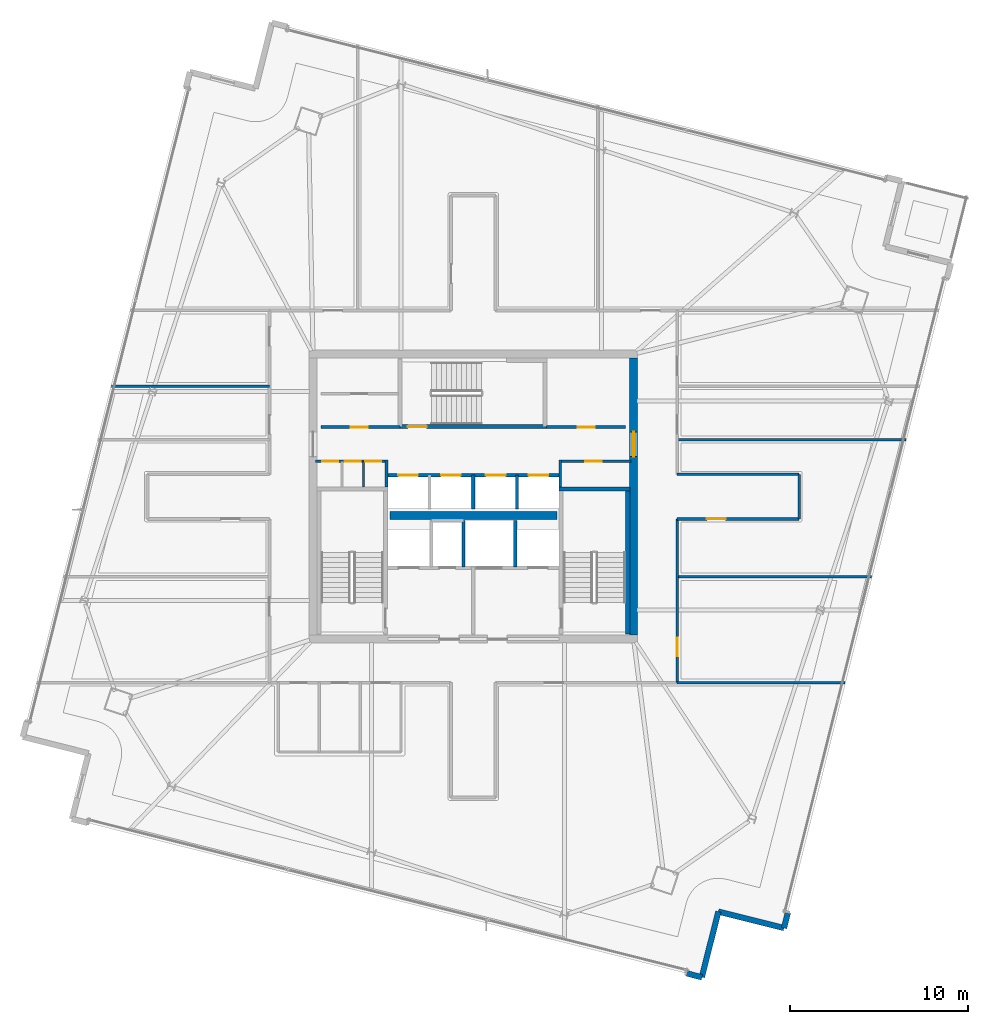
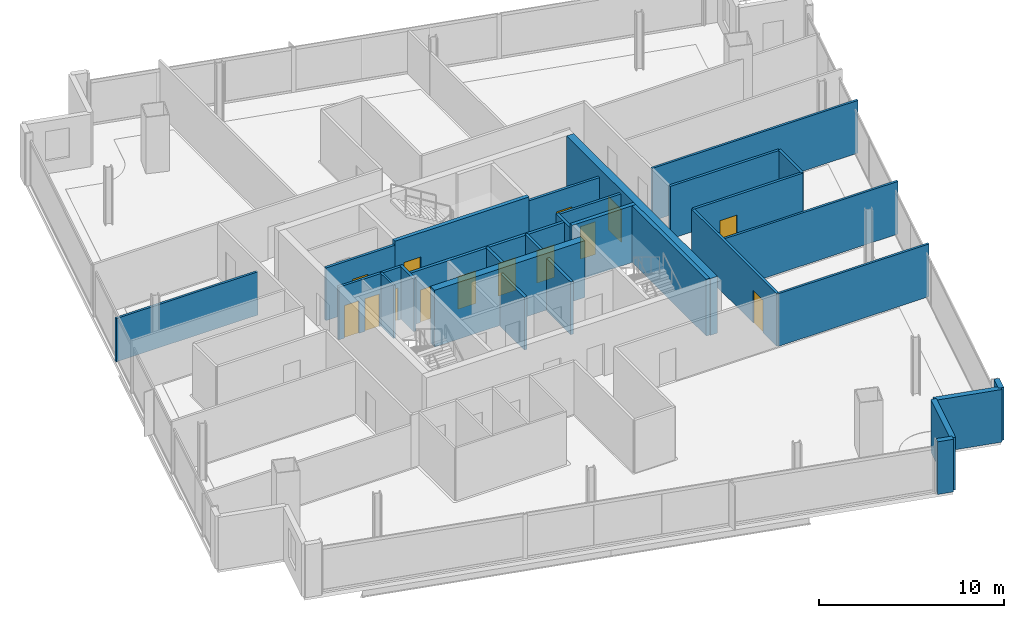
# One storey, part 21 of 28: 29 walls, 14 doors, 14 openings.
"""IFC4 building model written with IfcOpenShell, lengths in metres."""

import ifcopenshell
import ifcopenshell.guid

model = None  # the IFC model being written
_history = None  # IfcOwnerHistory: only IFC2X3 demands one
_inside = {}  # id of a spatial element -> (the spatial element, [elements in it])
_under = {}  # id of a project, library or spatial element -> (it, [spatial elements below it])
_declared = {}  # id of a project -> (the project, [libraries it declares])
_typed = {}  # id of a type object -> (the type object, [elements of that type])
_made_of = {}  # id of a material, layer set ... -> (it, [elements and type objects made of it])


def new_model(schema):
    """Start an empty IFC model of exactly this schema.

    Asked for "IFC4X3", IfcOpenShell would pick the latest addendum, in which some entities
    have other attributes; the version numbers below select the first issue.
    IFC2X3 requires an IfcOwnerHistory on every rooted entity: one is made here for all.
    """
    global model, _history
    if schema == "IFC4X3":
        model = ifcopenshell.file(schema_version=(4, 3, 0, 0))
    else:
        model = ifcopenshell.file(schema=schema)
    _inside.clear()
    _under.clear()
    _declared.clear()
    _typed.clear()
    _made_of.clear()
    _history = None
    if model.schema == "IFC2X3":
        org = make("IfcOrganization", Name="unknown")
        user = make(
            "IfcPersonAndOrganization",
            ThePerson=make("IfcPerson", FamilyName="unknown"),
            TheOrganization=org,
        )
        app = make(
            "IfcApplication",
            ApplicationDeveloper=org,
            Version="unknown",
            ApplicationFullName="unknown",
            ApplicationIdentifier="unknown",
        )
        _history = make(
            "IfcOwnerHistory",
            OwningUser=user,
            OwningApplication=app,
            ChangeAction="ADDED",
            CreationDate=0,
        )
    return model


def make(cls, **values):
    """One entity of the class cls with the attributes given. An attribute that is None is left unset."""
    return model.create_entity(
        cls, **{name: value for name, value in values.items() if value is not None}
    )


def rooted(cls, **values):
    """An entity with a GlobalId (a new one), such as an element, a storey or a relation."""
    return make(cls, GlobalId=ifcopenshell.guid.new(), OwnerHistory=_history, **values)


def si_unit(unit_type, name, prefix=None):
    """IfcSIUnit, for example si_unit("LENGTHUNIT", "METRE", prefix="MILLI")."""
    return make("IfcSIUnit", UnitType=unit_type, Prefix=prefix, Name=name)


def assignment(units):
    """IfcUnitAssignment: the units of a project."""
    return None if units is None else make("IfcUnitAssignment", Units=units)


def point(xyz):
    """IfcCartesianPoint."""
    return None if xyz is None else make("IfcCartesianPoint", Coordinates=xyz)


def direction(xyz):
    """IfcDirection."""
    return None if xyz is None else make("IfcDirection", DirectionRatios=xyz)


def frame(location, z_axis=None, x_axis=None):
    """IfcAxis2Placement3D, a coordinate frame: its origin and axes. An axis left out is left unset."""
    return make(
        "IfcAxis2Placement3D",
        Location=point(location),
        Axis=direction(z_axis),
        RefDirection=direction(x_axis),
    )


def frame_2d(location, x_axis=None):
    """IfcAxis2Placement2D, a coordinate frame in the plane: its origin and x axis."""
    return make(
        "IfcAxis2Placement2D", Location=point(location), RefDirection=direction(x_axis)
    )


def origin():
    """The frame at (0, 0, 0) with its axes left unset."""
    return frame((0.0, 0.0, 0.0))


def place(relative_to, where):
    """IfcLocalPlacement: puts the frame where relative to a parent placement (None: the world)."""
    return make(
        "IfcLocalPlacement", PlacementRelTo=relative_to, RelativePlacement=where
    )


def context(
    kind, dimensions, precision=None, world=None, true_north=None, identifier=None
):
    """IfcGeometricRepresentationContext, for example the 3D "Model" context."""
    return make(
        "IfcGeometricRepresentationContext",
        ContextIdentifier=identifier,
        ContextType=kind,
        CoordinateSpaceDimension=dimensions,
        Precision=precision,
        WorldCoordinateSystem=world,
        TrueNorth=true_north,
    )


def subcontext(parent, identifier, kind, view, scale=None):
    """IfcGeometricRepresentationSubContext, for example "Body" below "Model"."""
    return make(
        "IfcGeometricRepresentationSubContext",
        ContextIdentifier=identifier,
        ContextType=kind,
        ParentContext=parent,
        TargetScale=scale,
        TargetView=view,
    )


def project(units=None, contexts=None):
    """IfcProject with its units and contexts."""
    return rooted(
        "IfcProject",
        Name="project",
        RepresentationContexts=contexts,
        UnitsInContext=assignment(units),
    )


def spatial(cls, under=None, at=None, **own):
    """A site, building, storey or space (cls), placed at a placement, below another one or the project."""
    s = rooted(cls, ObjectPlacement=at, **own)
    if under is not None:
        _under.setdefault(under.id(), (under, []))[1].append(s)
    return s


def profile(cls, at=None, kind="AREA", **sizes):
    """A parametric profile (cls). Its sizes go by their IFC names, for example OverallWidth=200.0."""
    return make(cls, ProfileType=kind, Position=at, **sizes)


def rectangle(**sizes):
    """IfcRectangleProfileDef."""
    return profile("IfcRectangleProfileDef", **sizes)


def extrude(swept, where, along, depth):
    """IfcExtrudedAreaSolid: the profile swept, set in the frame where, extruded along a direction by depth."""
    return make(
        "IfcExtrudedAreaSolid",
        SweptArea=swept,
        Position=where,
        ExtrudedDirection=direction(along),
        Depth=depth,
    )


def shape(context_of_items, identifier, shape_type, items):
    """IfcShapeRepresentation: the items that make up one representation, for example the "Body"."""
    return make(
        "IfcShapeRepresentation",
        ContextOfItems=context_of_items,
        RepresentationIdentifier=identifier,
        RepresentationType=shape_type,
        Items=items,
    )


def material(Name=None, Category=None):
    """IfcMaterial."""
    return make("IfcMaterial", Name=Name, Category=Category)


def layer(
    of_material, thickness, ventilated=None, Name=None, Category=None, Priority=None
):
    """IfcMaterialLayer: one layer of a wall or slab, of a material (None: an air gap)."""
    return make(
        "IfcMaterialLayer",
        Material=of_material,
        LayerThickness=thickness,
        IsVentilated=ventilated,
        Name=Name,
        Category=Category,
        Priority=Priority,
    )


def layer_set(layers, Name=None):
    """IfcMaterialLayerSet."""
    return make("IfcMaterialLayerSet", MaterialLayers=layers, LayerSetName=Name)


def made_of(thing, what):
    """Note that an element or type object is made of a material, layer set ...; save() writes the relation."""
    if what is not None:
        _made_of.setdefault(what.id(), (what, []))[1].append(thing)
    return thing


def type_object(cls, material=None, **own):
    """A type object (cls), such as IfcWallType, which elements share."""
    return made_of(rooted(cls, **own), material)


def element(
    cls,
    number,
    at=None,
    inside=None,
    cuts=None,
    type_object=None,
    material=None,
    context=None,
    identifier="Body",
    shape_type=None,
    held_by="IfcProductDefinitionShape",
    body=None,
    shapes=None,
    **own,
):
    """One element of the class cls, such as IfcWall. Its Tag is "e" and its number.

    at: its placement. inside: the storey or other place that contains it. cuts: it is an
    opening in that element (IfcRelVoidsElement). A single representation is given by context,
    identifier, shape_type and body (its items); several are given by shapes. held_by: the class
    of the entity that holds the representations. save() writes the other relations.
    """
    e = rooted(cls, Tag="e%d" % number, ObjectPlacement=at, **own)
    if body is not None:
        shapes = [shape(context, identifier, shape_type, body)]
    if shapes is not None:
        e.Representation = make(held_by, Representations=shapes)
    if inside is not None:
        _inside.setdefault(inside.id(), (inside, []))[1].append(e)
    if cuts is not None:
        rooted(
            "IfcRelVoidsElement", RelatingBuildingElement=cuts, RelatedOpeningElement=e
        )
    if type_object is not None:
        _typed.setdefault(type_object.id(), (type_object, []))[1].append(e)
    return made_of(e, material)


def fill(opening, filler):
    """IfcRelFillsElement: the door or window that sits in an opening."""
    return rooted(
        "IfcRelFillsElement",
        RelatingOpeningElement=opening,
        RelatedBuildingElement=filler,
    )


def aggregate(whole, parts):
    """IfcRelAggregates: a whole, such as a stair, and the parts it consists of."""
    return rooted("IfcRelAggregates", RelatingObject=whole, RelatedObjects=parts)


def save(model, path):
    """Write the relations noted so far, then the file.

    IfcRelAggregates (storeys below a building ...), IfcRelContainedInSpatialStructure (elements
    in a storey), IfcRelDefinesByType, IfcRelAssociatesMaterial and IfcRelDeclares: one each for
    every whole, place, type object, material and project.
    """
    for whole, parts in _under.values():
        aggregate(whole, parts)
    for where, things in _inside.values():
        rooted(
            "IfcRelContainedInSpatialStructure",
            RelatedElements=things,
            RelatingStructure=where,
        )
    for kind, things in _typed.values():
        rooted("IfcRelDefinesByType", RelatedObjects=things, RelatingType=kind)
    for what, things in _made_of.values():
        rooted("IfcRelAssociatesMaterial", RelatedObjects=things, RelatingMaterial=what)
    for by, libraries in _declared.values():
        rooted("IfcRelDeclares", RelatingContext=by, RelatedDefinitions=libraries)
    model.write(path)


model = new_model("IFC4")

# Units and contexts
model_context = context("Model", 3, precision=1e-05, world=origin(), true_north=direction((0.0, 1.0)))
body_context = subcontext(model_context, "Body", "Model", "MODEL_VIEW")
ifc_project = project(units=[si_unit("LENGTHUNIT", "METRE"), si_unit("AREAUNIT", "SQUARE_METRE"), si_unit("VOLUMEUNIT", "CUBIC_METRE"), si_unit("PLANEANGLEUNIT", "RADIAN"), si_unit("MASSUNIT", "GRAM", prefix="KILO")], contexts=[model_context])

# Site, building, storey
site_placement = place(None, origin())
site = spatial("IfcSite", under=ifc_project, at=site_placement, CompositionType="ELEMENT")
building_placement = place(site_placement, origin())
building = spatial("IfcBuilding", under=site, at=building_placement, Name="Haldenkirk Collegiate Tower", CompositionType="ELEMENT")
storey_placement = place(building_placement, frame((0.0, 0.0, 282.449951171875)))
storey = spatial("IfcBuildingStorey", under=building, at=storey_placement, Name="L71", CompositionType="ELEMENT", Elevation=282.449951171875)

# Wall, opening, door
ifc_material_1 = material(Name="Concrete f'c 55 MPa", Category="concrete")
ifc_layer_1 = layer(ifc_material_1, 0.449951171875)
ifc_layer_set_1 = layer_set([ifc_layer_1], Name="Concrete f'c 55 MPa")
wall_type_1 = type_object("IfcWallType", Name="WL-CORE-450", PredefinedType="SHEAR", material=ifc_layer_set_1)
wall_1_placement = place(storey_placement, frame((45.0, 18.22509765625, 0.0), z_axis=(0.0, 0.0, 1.0), x_axis=(0.0, 1.0, 0.0)))
wall_1 = element("IfcWall", 1, at=wall_1_placement, inside=storey, type_object=wall_type_1, Name="L71 central core shear wall E", PredefinedType="SHEAR", context=body_context, shape_type="SweptSolid", body=[
    extrude(rectangle(XDim=15.5498046875, YDim=0.449951171875, at=frame_2d((7.77490234375, 0.0))), origin(), (0.0, 0.0, 1.0), 3.75),
])
opening_1_placement = place(wall_1_placement, frame((10.014892578125, 0.0, 0.0)))
opening_1 = element("IfcOpeningElement", 2, at=opening_1_placement, cuts=wall_1, Name="Opening D-03", PredefinedType="OPENING", context=body_context, shape_type="SweptSolid", body=[
    extrude(rectangle(XDim=1.39990234375, YDim=2.199951171875, at=frame_2d((0.699951171875, 1.10009765625))), frame((0.0, 0.23486328125, 0.0), z_axis=(0.0, -1.0, 0.0), x_axis=(1.0, 0.0, 0.0)), (0.0, 0.0, 1.0), 0.469970703125),
])
ifc_material_2 = material(Name="Galvanized fire-rated hollow steel door", Category="steel")
ifc_layer_2 = layer(ifc_material_2, 0.06005859375)
ifc_layer_set_2 = layer_set([ifc_layer_2], Name="Galvanized fire-rated hollow steel door")
door_type_1 = type_object("IfcDoorType", Name="DR-LOBBY-FD90-1400", OperationType="NOTDEFINED", PredefinedType="DOOR", material=ifc_layer_set_2)
door_1_placement = place(opening_1_placement, origin())
door_1 = element("IfcDoor", 3, at=door_1_placement, inside=storey, type_object=door_type_1, Name="L71 east lift lobby portal", OperationType="DOUBLE_DOOR_SINGLE_SWING", OverallHeight=2.199951171875, OverallWidth=1.39990234375, PredefinedType="DOOR", context=body_context, shape_type="SweptSolid", body=[
    extrude(rectangle(XDim=1.39990234375, YDim=2.199951171875, at=frame_2d((0.699951171875, 1.10009765625))), frame((0.0, 0.02490234375, 0.0), z_axis=(0.0, -1.0, 0.0), x_axis=(1.0, 0.0, 0.0)), (0.0, 0.0, 1.0), 0.050048828125),
])
fill(opening_1, door_1)

# Walls
wall_2_placement = place(storey_placement, frame((31.31005859375, 24.949951171875, 0.0), z_axis=(0.0, 0.0, 1.0), x_axis=(1.0, 0.0, 0.0)))
element("IfcWall", 4, at=wall_2_placement, inside=storey, type_object=wall_type_1, Name="L71 central core spine shear wall", PredefinedType="SHEAR", context=body_context, shape_type="SweptSolid", body=[
    extrude(rectangle(XDim=9.3798828125, YDim=0.449951171875, at=frame_2d((4.68994140625, 0.0))), origin(), (0.0, 0.0, 1.0), 3.75),
])
ifc_material_3 = material(Name="Precast concrete f'c 40 MPa", Category="concrete")
ifc_layer_3 = layer(ifc_material_3, 0.320068359375)
ifc_layer_set_3 = layer_set([ifc_layer_3], Name="Precast concrete f'c 40 MPa")
wall_type_2 = type_object("IfcWallType", Name="WL-EXT-TWR-320", PredefinedType="STANDARD", material=ifc_layer_set_3)
for number, where, z_axis, x_axis, name in (
    (5, (53.6669921875, 2.642333984375, 0.0), (0.0, 0.0, 1.0), (-0.24362064321, -0.969870600751, 0.0), "L71 precast corner pier SR"),
    (6, (48.83642578125, -0.990234375, 0.0), (0.0, 0.0, 1.0), (-0.969870600751, 0.24362064321, 0.0), "L71 precast corner pier WL"),
):
    element("IfcWall", number, at=place(storey_placement, frame(where, z_axis=z_axis, x_axis=x_axis)), inside=storey, type_object=wall_type_2, Name=name, PredefinedType="STANDARD", context=body_context, shape_type="SweptSolid", body=[
        extrude(rectangle(XDim=0.89990234375, YDim=0.320068359375, at=frame_2d((0.449951171875, 0.0))), origin(), (0.0, 0.0, 1.0), 3.47998046875),
    ])
for number, where, z_axis, x_axis, name in (
    (7, (49.76220703125, 2.6953125, 0.0), (0.0, 0.0, 1.0), (-0.243623888878, -0.96986978547, 0.0), "L71 bronze precast notch wall 11"),
    (8, (53.44775390625, 1.76953125, 0.0), (0.0, 0.0, 1.0), (-0.96986978547, 0.243623888878, 0.0), "L71 bronze precast notch wall 12"),
):
    element("IfcWall", number, at=place(storey_placement, frame(where, z_axis=z_axis, x_axis=x_axis)), inside=storey, type_object=wall_type_2, Name=name, PredefinedType="STANDARD", context=body_context, shape_type="SweptSolid", body=[
        extrude(rectangle(XDim=3.800048828125, YDim=0.320068359375, at=frame_2d((1.89990234375, 0.0))), origin(), (0.0, 0.0, 1.0), 3.47998046875),
    ])

# Wall, openings, doors
ifc_material_4 = material(Name="Acoustic fire-rated gypsum partition", Category="concrete")
ifc_layer_4 = layer(ifc_material_4, 0.159912109375)
ifc_layer_set_4 = layer_set([ifc_layer_4], Name="Acoustic fire-rated gypsum partition")
wall_type_3 = type_object("IfcWallType", Name="WL-INT-CORR-160", PredefinedType="PARTITIONING", material=ifc_layer_set_4)
wall_3_placement = place(storey_placement, frame((27.14990234375, 27.97998046875, 0.0), z_axis=(0.0, 0.0, 1.0), x_axis=(1.0, 0.0, 0.0)))
wall_3 = element("IfcWall", 9, at=wall_3_placement, inside=storey, type_object=wall_type_3, Name="L71 interior partition IW-L71-VCSW-N", PredefinedType="PARTITIONING", context=body_context, shape_type="SweptSolid", body=[
    extrude(rectangle(XDim=4.050048828125, YDim=0.159912109375, at=frame_2d((2.02490234375, 0.0))), origin(), (0.0, 0.0, 1.0), 3.47998046875),
])
opening_2_placement = place(wall_3_placement, frame((0.360107421875, 0.0, 0.0)))
opening_2 = element("IfcOpeningElement", 10, at=opening_2_placement, cuts=wall_3, Name="Opening D-11", PredefinedType="OPENING", context=body_context, shape_type="SweptSolid", body=[
    extrude(rectangle(XDim=0.89990234375, YDim=2.14990234375, at=frame_2d((0.449951171875, 1.074951171875))), frame((0.0, 0.08984375, 0.0), z_axis=(0.0, -1.0, 0.0), x_axis=(1.0, 0.0, 0.0)), (0.0, 0.0, 1.0), 0.179931640625),
])
opening_3_placement = place(wall_3_placement, frame((1.6298828125, 0.0, 0.0)))
opening_3 = element("IfcOpeningElement", 11, at=opening_3_placement, cuts=wall_3, Name="Opening D-11", PredefinedType="OPENING", context=body_context, shape_type="SweptSolid", body=[
    extrude(rectangle(XDim=0.89990234375, YDim=2.14990234375, at=frame_2d((0.449951171875, 1.074951171875))), frame((0.0, 0.08984375, 0.0), z_axis=(0.0, -1.0, 0.0), x_axis=(1.0, 0.0, 0.0)), (0.0, 0.0, 1.0), 0.179931640625),
])
opening_4_placement = place(wall_3_placement, frame((2.78759765625, 0.0, 0.0)))
opening_4 = element("IfcOpeningElement", 12, at=opening_4_placement, cuts=wall_3, Name="Opening D-11", PredefinedType="OPENING", context=body_context, shape_type="SweptSolid", body=[
    extrude(rectangle(XDim=0.89990234375, YDim=2.14990234375, at=frame_2d((0.449951171875, 1.074951171875))), frame((0.0, 0.08984375, 0.0), z_axis=(0.0, -1.0, 0.0), x_axis=(1.0, 0.0, 0.0)), (0.0, 0.0, 1.0), 0.179931640625),
])
ifc_material_5 = material(Name="Solid-core architectural oak fire door", Category="wood")
ifc_layer_5 = layer(ifc_material_5, 0.06005859375)
ifc_layer_set_5 = layer_set([ifc_layer_5], Name="Solid-core architectural oak fire door")
door_type_2 = type_object("IfcDoorType", Name="DR-INT-FD60-900", OperationType="NOTDEFINED", PredefinedType="DOOR", material=ifc_layer_set_5)
door_2_placement = place(opening_2_placement, origin())
door_2 = element("IfcDoor", 13, at=door_2_placement, inside=storey, type_object=door_type_2, Name="L71 core study booth door", OperationType="SINGLE_SWING_LEFT", OverallHeight=2.14990234375, OverallWidth=0.89990234375, PredefinedType="DOOR", context=body_context, shape_type="SweptSolid", body=[
    extrude(rectangle(XDim=0.89990234375, YDim=2.14990234375, at=frame_2d((0.449951171875, 1.074951171875))), frame((0.0, 0.02490234375, 0.0), z_axis=(0.0, -1.0, 0.0), x_axis=(1.0, 0.0, 0.0)), (0.0, 0.0, 1.0), 0.050048828125),
])
fill(opening_2, door_2)
door_3_placement = place(opening_3_placement, origin())
door_3 = element("IfcDoor", 14, at=door_3_placement, inside=storey, type_object=door_type_2, Name="L71 core cleaners door", OperationType="SINGLE_SWING_RIGHT", OverallHeight=2.14990234375, OverallWidth=0.89990234375, PredefinedType="DOOR", context=body_context, shape_type="SweptSolid", body=[
    extrude(rectangle(XDim=0.89990234375, YDim=2.14990234375, at=frame_2d((0.449951171875, 1.074951171875))), frame((0.0, 0.02490234375, 0.0), z_axis=(0.0, -1.0, 0.0), x_axis=(1.0, 0.0, 0.0)), (0.0, 0.0, 1.0), 0.050048828125),
])
fill(opening_3, door_3)
door_4_placement = place(opening_4_placement, origin())
door_4 = element("IfcDoor", 15, at=door_4_placement, inside=storey, type_object=door_type_2, Name="L71 core stationery door", OperationType="SINGLE_SWING_LEFT", OverallHeight=2.14990234375, OverallWidth=0.89990234375, PredefinedType="DOOR", context=body_context, shape_type="SweptSolid", body=[
    extrude(rectangle(XDim=0.89990234375, YDim=2.14990234375, at=frame_2d((0.449951171875, 1.074951171875))), frame((0.0, 0.02490234375, 0.0), z_axis=(0.0, -1.0, 0.0), x_axis=(1.0, 0.0, 0.0)), (0.0, 0.0, 1.0), 0.050048828125),
])
fill(opening_4, door_4)

# Wall
wall_4_placement = place(storey_placement, frame((31.1201171875, 26.5400390625, 0.0), z_axis=(0.0, 0.0, 1.0), x_axis=(0.0, 1.0, 0.0)))
element("IfcWall", 16, at=wall_4_placement, inside=storey, type_object=wall_type_3, Name="L71 interior partition IW-L71-VCSW-E", PredefinedType="PARTITIONING", context=body_context, shape_type="SweptSolid", body=[
    extrude(rectangle(XDim=1.510009765625, YDim=0.159912109375, at=frame_2d((0.7548828125, 0.0))), origin(), (0.0, 0.0, 1.0), 3.47998046875),
])

# Wall, opening, door
wall_5_placement = place(storey_placement, frame((40.800048828125, 27.97998046875, 0.0), z_axis=(0.0, 0.0, 1.0), x_axis=(1.0, 0.0, 0.0)))
wall_5 = element("IfcWall", 17, at=wall_5_placement, inside=storey, type_object=wall_type_3, Name="L71 interior partition IW-L71-VCSE-N", PredefinedType="PARTITIONING", context=body_context, shape_type="SweptSolid", body=[
    extrude(rectangle(XDim=4.050048828125, YDim=0.159912109375, at=frame_2d((2.02490234375, 0.0))), origin(), (0.0, 0.0, 1.0), 3.47998046875),
])
opening_5_placement = place(wall_5_placement, frame((1.47509765625, 0.0, 0.0)))
opening_5 = element("IfcOpeningElement", 18, at=opening_5_placement, cuts=wall_5, Name="Opening D-10", PredefinedType="OPENING", context=body_context, shape_type="SweptSolid", body=[
    extrude(rectangle(XDim=0.949951171875, YDim=2.14990234375, at=frame_2d((0.47509765625, 1.074951171875))), frame((0.0, 0.08984375, 0.0), z_axis=(0.0, -1.0, 0.0), x_axis=(1.0, 0.0, 0.0)), (0.0, 0.0, 1.0), 0.179931640625),
])
ifc_layer_6 = layer(ifc_material_5, 0.06005859375)
ifc_layer_set_6 = layer_set([ifc_layer_6], Name="Solid-core architectural oak fire door")
door_type_3 = type_object("IfcDoorType", Name="DR-INT-FD60-950", OperationType="NOTDEFINED", PredefinedType="DOOR", material=ifc_layer_set_6)
door_5_placement = place(opening_5_placement, origin())
door_5 = element("IfcDoor", 19, at=door_5_placement, inside=storey, type_object=door_type_3, Name="L71 core archive vault door", OperationType="SINGLE_SWING_RIGHT", OverallHeight=2.14990234375, OverallWidth=0.949951171875, PredefinedType="DOOR", context=body_context, shape_type="SweptSolid", body=[
    extrude(rectangle(XDim=0.949951171875, YDim=2.14990234375, at=frame_2d((0.47509765625, 1.074951171875))), frame((0.0, 0.02490234375, 0.0), z_axis=(0.0, -1.0, 0.0), x_axis=(1.0, 0.0, 0.0)), (0.0, 0.0, 1.0), 0.050048828125),
])
fill(opening_5, door_5)

# Wall
wall_6_placement = place(storey_placement, frame((40.8798828125, 26.5400390625, 0.0), z_axis=(0.0, 0.0, 1.0), x_axis=(0.0, 1.0, 0.0)))
element("IfcWall", 20, at=wall_6_placement, inside=storey, type_object=wall_type_3, Name="L71 interior partition IW-L71-VCSE-W", PredefinedType="PARTITIONING", context=body_context, shape_type="SweptSolid", body=[
    extrude(rectangle(XDim=1.510009765625, YDim=0.159912109375, at=frame_2d((0.7548828125, 0.0))), origin(), (0.0, 0.0, 1.0), 3.47998046875),
])

# Wall, opening, door
wall_7_placement = place(storey_placement, frame((27.449951171875, 29.89990234375, 0.0), z_axis=(0.0, 0.0, 1.0), x_axis=(1.0, 0.0, 0.0)))
wall_7 = element("IfcWall", 21, at=wall_7_placement, inside=storey, type_object=wall_type_3, Name="L71 interior partition IW-L71-PLS", PredefinedType="PARTITIONING", context=body_context, shape_type="SweptSolid", body=[
    extrude(rectangle(XDim=4.429931640625, YDim=0.159912109375, at=frame_2d((2.21484375, 0.0))), origin(), (0.0, 0.0, 1.0), 3.47998046875),
])
opening_6_placement = place(wall_7_placement, frame((1.675048828125, 0.0, 0.0)))
opening_6 = element("IfcOpeningElement", 22, at=opening_6_placement, cuts=wall_7, Name="Opening D-10", PredefinedType="OPENING", context=body_context, shape_type="SweptSolid", body=[
    extrude(rectangle(XDim=0.949951171875, YDim=2.14990234375, at=frame_2d((0.47509765625, 1.074951171875))), frame((0.0, 0.08984375, 0.0), z_axis=(0.0, -1.0, 0.0), x_axis=(1.0, 0.0, 0.0)), (0.0, 0.0, 1.0), 0.179931640625),
])
door_6_placement = place(opening_6_placement, origin())
door_6 = element("IfcDoor", 23, at=door_6_placement, inside=storey, type_object=door_type_3, Name="L71 consultation door", OperationType="SINGLE_SWING_LEFT", OverallHeight=2.14990234375, OverallWidth=0.949951171875, PredefinedType="DOOR", context=body_context, shape_type="SweptSolid", body=[
    extrude(rectangle(XDim=0.949951171875, YDim=2.14990234375, at=frame_2d((0.47509765625, 1.074951171875))), frame((0.0, 0.02490234375, 0.0), z_axis=(0.0, -1.0, 0.0), x_axis=(1.0, 0.0, 0.0)), (0.0, 0.0, 1.0), 0.050048828125),
])
fill(opening_6, door_6)

wall_8_placement = place(storey_placement, frame((40.1201171875, 29.89990234375, 0.0), z_axis=(0.0, 0.0, 1.0), x_axis=(1.0, 0.0, 0.0)))
wall_8 = element("IfcWall", 24, at=wall_8_placement, inside=storey, type_object=wall_type_3, Name="L71 interior partition IW-L71-PMS", PredefinedType="PARTITIONING", context=body_context, shape_type="SweptSolid", body=[
    extrude(rectangle(XDim=4.429931640625, YDim=0.159912109375, at=frame_2d((2.21484375, 0.0))), origin(), (0.0, 0.0, 1.0), 3.47998046875),
])
opening_7_placement = place(wall_8_placement, frame((1.7548828125, 0.0, 0.0)))
opening_7 = element("IfcOpeningElement", 25, at=opening_7_placement, cuts=wall_8, Name="Opening D-10", PredefinedType="OPENING", context=body_context, shape_type="SweptSolid", body=[
    extrude(rectangle(XDim=0.949951171875, YDim=2.14990234375, at=frame_2d((0.47509765625, 1.074951171875))), frame((0.0, 0.08984375, 0.0), z_axis=(0.0, -1.0, 0.0), x_axis=(1.0, 0.0, 0.0)), (0.0, 0.0, 1.0), 0.179931640625),
])
door_7_placement = place(opening_7_placement, origin())
door_7 = element("IfcDoor", 26, at=door_7_placement, inside=storey, type_object=door_type_3, Name="L71 reference archive door", OperationType="SINGLE_SWING_LEFT", OverallHeight=2.14990234375, OverallWidth=0.949951171875, PredefinedType="DOOR", context=body_context, shape_type="SweptSolid", body=[
    extrude(rectangle(XDim=0.949951171875, YDim=2.14990234375, at=frame_2d((0.47509765625, 1.074951171875))), frame((0.0, 0.02490234375, 0.0), z_axis=(0.0, -1.0, 0.0), x_axis=(1.0, 0.0, 0.0)), (0.0, 0.0, 1.0), 0.050048828125),
])
fill(opening_7, door_7)

wall_9_placement = place(storey_placement, frame((47.449951171875, 15.550048828125, 0.0), z_axis=(0.0, 0.0, 1.0), x_axis=(0.0, 1.0, 0.0)))
wall_9 = element("IfcWall", 27, at=wall_9_placement, inside=storey, type_object=wall_type_3, Name="L71 interior partition IW-L71-CE1", PredefinedType="PARTITIONING", context=body_context, shape_type="SweptSolid", body=[
    extrude(rectangle(XDim=9.199951171875, YDim=0.159912109375, at=frame_2d((4.60009765625, 0.0))), origin(), (0.0, 0.0, 1.0), 3.47998046875),
])
opening_8_placement = place(wall_9_placement, frame((1.485107421875, 0.0, 0.0)))
opening_8 = element("IfcOpeningElement", 28, at=opening_8_placement, cuts=wall_9, Name="Opening D-09", PredefinedType="OPENING", context=body_context, shape_type="SweptSolid", body=[
    extrude(rectangle(XDim=1.050048828125, YDim=2.14990234375, at=frame_2d((0.52490234375, 1.074951171875))), frame((0.0, 0.08984375, 0.0), z_axis=(0.0, -1.0, 0.0), x_axis=(1.0, 0.0, 0.0)), (0.0, 0.0, 1.0), 0.179931640625),
])
ifc_layer_7 = layer(ifc_material_5, 0.06005859375)
ifc_layer_set_7 = layer_set([ifc_layer_7], Name="Solid-core architectural oak fire door")
door_type_4 = type_object("IfcDoorType", Name="DR-INT-FD60-1050", OperationType="NOTDEFINED", PredefinedType="DOOR", material=ifc_layer_set_7)
door_8_placement = place(opening_8_placement, origin())
door_8 = element("IfcDoor", 29, at=door_8_placement, inside=storey, type_object=door_type_4, Name="L71 Faculty Tea Kitchen 9 door", OperationType="SINGLE_SWING_LEFT", OverallHeight=2.14990234375, OverallWidth=1.050048828125, PredefinedType="DOOR", context=body_context, shape_type="SweptSolid", body=[
    extrude(rectangle(XDim=1.050048828125, YDim=2.14990234375, at=frame_2d((0.52490234375, 1.074951171875))), frame((0.0, 0.02490234375, 0.0), z_axis=(0.0, -1.0, 0.0), x_axis=(1.0, 0.0, 0.0)), (0.0, 0.0, 1.0), 0.050048828125),
])
fill(opening_8, door_8)

wall_10_placement = place(storey_placement, frame((47.449951171875, 24.75, 0.0), z_axis=(0.0, 0.0, 1.0), x_axis=(1.0, 0.0, 0.0)))
wall_10 = element("IfcWall", 30, at=wall_10_placement, inside=storey, type_object=wall_type_3, Name="L71 interior partition IW-L71-EPS", PredefinedType="PARTITIONING", context=body_context, shape_type="SweptSolid", body=[
    extrude(rectangle(XDim=6.85009765625, YDim=0.159912109375, at=frame_2d((3.425048828125, 0.0))), origin(), (0.0, 0.0, 1.0), 3.47998046875),
])
opening_9_placement = place(wall_10_placement, frame((1.6669921875, 0.0, 0.0)))
opening_9 = element("IfcOpeningElement", 31, at=opening_9_placement, cuts=wall_10, Name="Opening D-09", PredefinedType="OPENING", context=body_context, shape_type="SweptSolid", body=[
    extrude(rectangle(XDim=1.050048828125, YDim=2.14990234375, at=frame_2d((0.52490234375, 1.074951171875))), frame((0.0, 0.08984375, 0.0), z_axis=(0.0, -1.0, 0.0), x_axis=(1.0, 0.0, 0.0)), (0.0, 0.0, 1.0), 0.179931640625),
])
door_9_placement = place(opening_9_placement, origin())
door_9 = element("IfcDoor", 32, at=door_9_placement, inside=storey, type_object=door_type_4, Name="L71 Academic Tea Kitchen 10 door", OperationType="SINGLE_SWING_RIGHT", OverallHeight=2.14990234375, OverallWidth=1.050048828125, PredefinedType="DOOR", context=body_context, shape_type="SweptSolid", body=[
    extrude(rectangle(XDim=1.050048828125, YDim=2.14990234375, at=frame_2d((0.52490234375, 1.074951171875))), frame((0.0, 0.02490234375, 0.0), z_axis=(0.0, -1.0, 0.0), x_axis=(1.0, 0.0, 0.0)), (0.0, 0.0, 1.0), 0.050048828125),
])
fill(opening_9, door_9)

# Walls
wall_11_placement = place(storey_placement, frame((47.449951171875, 27.25, 0.0), z_axis=(0.0, 0.0, 1.0), x_axis=(1.0, 0.0, 0.0)))
element("IfcWall", 33, at=wall_11_placement, inside=storey, type_object=wall_type_3, Name="L71 interior partition IW-L71-EPN", PredefinedType="PARTITIONING", context=body_context, shape_type="SweptSolid", body=[
    extrude(rectangle(XDim=6.85009765625, YDim=0.159912109375, at=frame_2d((3.425048828125, 0.0))), origin(), (0.0, 0.0, 1.0), 3.47998046875),
])
wall_12_placement = place(storey_placement, frame((54.300048828125, 24.75, 0.0), z_axis=(0.0, 0.0, 1.0), x_axis=(0.0, 1.0, 0.0)))
element("IfcWall", 34, at=wall_12_placement, inside=storey, type_object=wall_type_3, Name="L71 interior partition IW-L71-EPE", PredefinedType="PARTITIONING", context=body_context, shape_type="SweptSolid", body=[
    extrude(rectangle(XDim=2.5, YDim=0.159912109375, at=frame_2d((1.25, 0.0))), origin(), (0.0, 0.0, 1.0), 3.47998046875),
])
ifc_layer_8 = layer(ifc_material_4, 0.139892578125)
ifc_layer_set_8 = layer_set([ifc_layer_8], Name="Acoustic fire-rated gypsum partition")
wall_type_4 = type_object("IfcWallType", Name="WL-INT-DIV-140", PredefinedType="PARTITIONING", material=ifc_layer_set_8)
wall_13_placement = place(storey_placement, frame((47.449951171875, 15.550048828125, 0.0), z_axis=(0.0, 0.0, 1.0), x_axis=(1.0, 0.0, 0.0)))
element("IfcWall", 35, at=wall_13_placement, inside=storey, type_object=wall_type_4, Name="L71 interior partition IW-L71-BES", PredefinedType="PARTITIONING", context=body_context, shape_type="SweptSolid", body=[
    extrude(rectangle(XDim=9.41796875, YDim=0.139892578125, at=frame_2d((4.708984375, 0.0))), origin(), (0.0, 0.0, 1.0), 3.47998046875),
])
wall_14_placement = place(storey_placement, frame((15.6884765625, 32.199951171875, 0.0), z_axis=(0.0, 0.0, 1.0), x_axis=(1.0, 0.0, 0.0)))
element("IfcWall", 36, at=wall_14_placement, inside=storey, type_object=wall_type_4, Name="L71 interior partition IW-L71-RW3", PredefinedType="PARTITIONING", context=body_context, shape_type="SweptSolid", body=[
    extrude(rectangle(XDim=8.861572265625, YDim=0.139892578125, at=frame_2d((4.4306640625, 0.0))), origin(), (0.0, 0.0, 1.0), 2.858154296875),
])
wall_15_placement = place(storey_placement, frame((47.449951171875, 21.5, 0.0), z_axis=(0.0, 0.0, 1.0), x_axis=(1.0, 0.0, 0.0)))
element("IfcWall", 37, at=wall_15_placement, inside=storey, type_object=wall_type_4, Name="L71 interior partition IW-L71-RE1", PredefinedType="PARTITIONING", context=body_context, shape_type="SweptSolid", body=[
    extrude(rectangle(XDim=10.912353515625, YDim=0.139892578125, at=frame_2d((5.4560546875, 0.0))), origin(), (0.0, 0.0, 1.0), 3.47998046875),
])
wall_16_placement = place(storey_placement, frame((47.449951171875, 29.199951171875, 0.0), z_axis=(0.0, 0.0, 1.0), x_axis=(1.0, 0.0, 0.0)))
element("IfcWall", 38, at=wall_16_placement, inside=storey, type_object=wall_type_4, Name="L71 interior partition IW-L71-RE2", PredefinedType="PARTITIONING", context=body_context, shape_type="SweptSolid", body=[
    extrude(rectangle(XDim=12.8466796875, YDim=0.139892578125, at=frame_2d((6.42333984375, 0.0))), origin(), (0.0, 0.0, 1.0), 3.47998046875),
])
ifc_material_6 = material(Name="Fire-rated gypsum shaftboard assembly", Category="concrete")
ifc_layer_9 = layer(ifc_material_6, 0.179931640625)
ifc_layer_set_9 = layer_set([ifc_layer_9], Name="Fire-rated gypsum shaftboard assembly")
wall_type_5 = type_object("IfcWallType", Name="WL-INT-SHAFT-180", PredefinedType="PARTITIONING", material=ifc_layer_set_9)
for number, where, z_axis, x_axis, name in (
    (39, (35.449951171875, 22.050048828125, 0.0), (0.0, 0.0, 1.0), (0.0, 1.0, 0.0), "L71 interior partition IW-L71-GL1W"),
    (40, (38.35009765625, 22.050048828125, 0.0), (0.0, 0.0, 1.0), (0.0, 1.0, 0.0), "L71 interior partition IW-L71-GL1E"),
):
    element("IfcWall", number, at=place(storey_placement, frame(where, z_axis=z_axis, x_axis=x_axis)), inside=storey, type_object=wall_type_5, Name=name, PredefinedType="PARTITIONING", context=body_context, shape_type="SweptSolid", body=[
        extrude(rectangle(XDim=2.599853515625, YDim=0.179931640625, at=frame_2d((1.2998046875, 0.0))), origin(), (0.0, 0.0, 1.0), 3.47998046875),
    ])

# Wall, openings, doors
wall_17_placement = place(storey_placement, frame((31.199951171875, 27.199951171875, 0.0), z_axis=(0.0, 0.0, 1.0), x_axis=(1.0, 0.0, 0.0)))
wall_17 = element("IfcWall", 41, at=wall_17_placement, inside=storey, type_object=wall_type_5, Name="L71 interior partition IW-L71-PHN", PredefinedType="PARTITIONING", context=body_context, shape_type="SweptSolid", body=[
    extrude(rectangle(XDim=9.60009765625, YDim=0.179931640625, at=frame_2d((4.800048828125, 0.0))), origin(), (0.0, 0.0, 1.0), 3.47998046875),
])
opening_10_placement = place(wall_17_placement, frame((0.590087890625, 0.0, 0.0)))
opening_10 = element("IfcOpeningElement", 42, at=opening_10_placement, cuts=wall_17, Name="Opening LD-11", PredefinedType="OPENING", context=body_context, shape_type="SweptSolid", body=[
    extrude(rectangle(XDim=1.10009765625, YDim=2.14990234375, at=frame_2d((0.550048828125, 1.074951171875))), frame((0.0, 0.099853515625, 0.0), z_axis=(0.0, -1.0, 0.0), x_axis=(1.0, 0.0, 0.0)), (0.0, 0.0, 1.0), 0.199951171875),
])
opening_11_placement = place(wall_17_placement, frame((2.989990234375, 0.0, 0.0)))
opening_11 = element("IfcOpeningElement", 43, at=opening_11_placement, cuts=wall_17, Name="Opening LD-11", PredefinedType="OPENING", context=body_context, shape_type="SweptSolid", body=[
    extrude(rectangle(XDim=1.10009765625, YDim=2.14990234375, at=frame_2d((0.550048828125, 1.074951171875))), frame((0.0, 0.099853515625, 0.0), z_axis=(0.0, -1.0, 0.0), x_axis=(1.0, 0.0, 0.0)), (0.0, 0.0, 1.0), 0.199951171875),
])
opening_12_placement = place(wall_17_placement, frame((5.510009765625, 0.0, 0.0)))
opening_12 = element("IfcOpeningElement", 44, at=opening_12_placement, cuts=wall_17, Name="Opening LD-11", PredefinedType="OPENING", context=body_context, shape_type="SweptSolid", body=[
    extrude(rectangle(XDim=1.10009765625, YDim=2.14990234375, at=frame_2d((0.550048828125, 1.074951171875))), frame((0.0, 0.099853515625, 0.0), z_axis=(0.0, -1.0, 0.0), x_axis=(1.0, 0.0, 0.0)), (0.0, 0.0, 1.0), 0.199951171875),
])
opening_13_placement = place(wall_17_placement, frame((7.909912109375, 0.0, 0.0)))
opening_13 = element("IfcOpeningElement", 45, at=opening_13_placement, cuts=wall_17, Name="Opening LD-11", PredefinedType="OPENING", context=body_context, shape_type="SweptSolid", body=[
    extrude(rectangle(XDim=1.10009765625, YDim=2.14990234375, at=frame_2d((0.550048828125, 1.074951171875))), frame((0.0, 0.099853515625, 0.0), z_axis=(0.0, -1.0, 0.0), x_axis=(1.0, 0.0, 0.0)), (0.0, 0.0, 1.0), 0.199951171875),
])
ifc_material_7 = material(Name="Brushed architectural stainless steel", Category="steel")
ifc_layer_10 = layer(ifc_material_7, 0.06005859375)
ifc_layer_set_10 = layer_set([ifc_layer_10], Name="Brushed architectural stainless steel")
door_type_5 = type_object("IfcDoorType", Name="LD-PASS-1100", OperationType="NOTDEFINED", PredefinedType="DOOR", material=ifc_layer_set_10)
door_10_placement = place(opening_10_placement, origin())
door_10 = element("IfcDoor", 46, at=door_10_placement, inside=storey, type_object=door_type_5, Name="L71 Elevator PH1 sliding landing door", OperationType="SLIDING_TO_LEFT", OverallHeight=2.14990234375, OverallWidth=1.10009765625, PredefinedType="DOOR", context=body_context, shape_type="SweptSolid", body=[
    extrude(rectangle(XDim=1.10009765625, YDim=2.14990234375, at=frame_2d((0.550048828125, 1.074951171875))), frame((0.0, 0.02490234375, 0.0), z_axis=(0.0, -1.0, 0.0), x_axis=(1.0, 0.0, 0.0)), (0.0, 0.0, 1.0), 0.050048828125),
])
fill(opening_10, door_10)
door_11_placement = place(opening_11_placement, origin())
door_11 = element("IfcDoor", 47, at=door_11_placement, inside=storey, type_object=door_type_5, Name="L71 Elevator PH2 sliding landing door", OperationType="SLIDING_TO_LEFT", OverallHeight=2.14990234375, OverallWidth=1.10009765625, PredefinedType="DOOR", context=body_context, shape_type="SweptSolid", body=[
    extrude(rectangle(XDim=1.10009765625, YDim=2.14990234375, at=frame_2d((0.550048828125, 1.074951171875))), frame((0.0, 0.02490234375, 0.0), z_axis=(0.0, -1.0, 0.0), x_axis=(1.0, 0.0, 0.0)), (0.0, 0.0, 1.0), 0.050048828125),
])
fill(opening_11, door_11)
door_12_placement = place(opening_12_placement, origin())
door_12 = element("IfcDoor", 48, at=door_12_placement, inside=storey, type_object=door_type_5, Name="L71 Elevator PH3 sliding landing door", OperationType="SLIDING_TO_LEFT", OverallHeight=2.14990234375, OverallWidth=1.10009765625, PredefinedType="DOOR", context=body_context, shape_type="SweptSolid", body=[
    extrude(rectangle(XDim=1.10009765625, YDim=2.14990234375, at=frame_2d((0.550048828125, 1.074951171875))), frame((0.0, 0.02490234375, 0.0), z_axis=(0.0, -1.0, 0.0), x_axis=(1.0, 0.0, 0.0)), (0.0, 0.0, 1.0), 0.050048828125),
])
fill(opening_12, door_12)
door_13_placement = place(opening_13_placement, origin())
door_13 = element("IfcDoor", 49, at=door_13_placement, inside=storey, type_object=door_type_5, Name="L71 Elevator PH4 sliding landing door", OperationType="SLIDING_TO_LEFT", OverallHeight=2.14990234375, OverallWidth=1.10009765625, PredefinedType="DOOR", context=body_context, shape_type="SweptSolid", body=[
    extrude(rectangle(XDim=1.10009765625, YDim=2.14990234375, at=frame_2d((0.550048828125, 1.074951171875))), frame((0.0, 0.02490234375, 0.0), z_axis=(0.0, -1.0, 0.0), x_axis=(1.0, 0.0, 0.0)), (0.0, 0.0, 1.0), 0.050048828125),
])
fill(opening_13, door_13)

# Walls
for number, where, z_axis, x_axis, name in (
    (50, (36.0, 25.300048828125, 0.0), (0.0, 0.0, 1.0), (0.0, 1.0, 0.0), "L71 interior partition IW-L71-PHV2"),
    (51, (38.4599609375, 25.300048828125, 0.0), (0.0, 0.0, 1.0), (0.0, 1.0, 0.0), "L71 interior partition IW-L71-PHV3"),
):
    element("IfcWall", number, at=place(storey_placement, frame(where, z_axis=z_axis, x_axis=x_axis)), inside=storey, type_object=wall_type_5, Name=name, PredefinedType="PARTITIONING", context=body_context, shape_type="SweptSolid", body=[
        extrude(rectangle(XDim=1.89990234375, YDim=0.179931640625, at=frame_2d((0.949951171875, 0.0))), origin(), (0.0, 0.0, 1.0), 3.47998046875),
    ])
ifc_layer_11 = layer(ifc_material_4, 0.1201171875)
ifc_layer_set_11 = layer_set([ifc_layer_11], Name="Acoustic fire-rated gypsum partition")
wall_type_6 = type_object("IfcWallType", Name="WL-INT-WET-120", PredefinedType="PARTITIONING", material=ifc_layer_set_11)
wall_18_placement = place(storey_placement, frame((29.840087890625, 26.5400390625, 0.0), z_axis=(0.0, 0.0, 1.0), x_axis=(0.0, 1.0, 0.0)))
element("IfcWall", 52, at=wall_18_placement, inside=storey, type_object=wall_type_6, Name="L71 interior partition IW-L71-VCSW-M2", PredefinedType="PARTITIONING", context=body_context, shape_type="SweptSolid", body=[
    extrude(rectangle(XDim=1.43994140625, YDim=0.1201171875, at=frame_2d((0.719970703125, 0.0))), origin(), (0.0, 0.0, 1.0), 3.47998046875),
])
ifc_layer_12 = layer(ifc_material_1, 0.239990234375)
ifc_layer_set_12 = layer_set([ifc_layer_12], Name="Concrete f'c 55 MPa")
wall_type_7 = type_object("IfcWallType", Name="WL-SHAFT-240", PredefinedType="SHEAR", material=ifc_layer_set_12)
wall_19_placement = place(storey_placement, frame((40.81005859375, 26.419921875, 0.0), z_axis=(0.0, 0.0, 1.0), x_axis=(1.0, 0.0, 0.0)))
element("IfcWall", 53, at=wall_19_placement, inside=storey, type_object=wall_type_7, Name="L71 stair shaft shear wall SW-L71-ST2N", PredefinedType="SHEAR", context=body_context, shape_type="SweptSolid", body=[
    extrude(rectangle(XDim=3.97998046875, YDim=0.239990234375, at=frame_2d((1.989990234375, 0.0))), origin(), (0.0, 0.0, 1.0), 3.75),
])
wall_20_placement = place(storey_placement, frame((44.669921875, 18.280029296875, 0.0), z_axis=(0.0, 0.0, 1.0), x_axis=(0.0, 1.0, 0.0)))
element("IfcWall", 54, at=wall_20_placement, inside=storey, type_object=wall_type_7, Name="L71 stair shaft shear wall SW-L71-ST2E", PredefinedType="SHEAR", context=body_context, shape_type="SweptSolid", body=[
    extrude(rectangle(XDim=8.260009765625, YDim=0.239990234375, at=frame_2d((4.1298828125, 0.0))), origin(), (0.0, 0.0, 1.0), 3.75),
])

# Wall, opening, door
wall_21_placement = place(storey_placement, frame((31.760009765625, 29.929931640625, 0.0), z_axis=(0.0, 0.0, 1.0), x_axis=(1.0, 0.0, 0.0)))
wall_21 = element("IfcWall", 55, at=wall_21_placement, inside=storey, type_object=wall_type_7, Name="L71 stair shaft shear wall SW-L71-ST3S", PredefinedType="SHEAR", context=body_context, shape_type="SweptSolid", body=[
    extrude(rectangle(XDim=8.3798828125, YDim=0.239990234375, at=frame_2d((4.18994140625, 0.0))), origin(), (0.0, 0.0, 1.0), 3.75),
])
opening_14_placement = place(wall_21_placement, frame((0.56494140625, 0.0, 0.0)))
opening_14 = element("IfcOpeningElement", 56, at=opening_14_placement, cuts=wall_21, Name="Opening D-01", PredefinedType="OPENING", context=body_context, shape_type="SweptSolid", body=[
    extrude(rectangle(XDim=1.050048828125, YDim=2.14990234375, at=frame_2d((0.52490234375, 1.074951171875))), frame((0.0, 0.1298828125, 0.0), z_axis=(0.0, -1.0, 0.0), x_axis=(1.0, 0.0, 0.0)), (0.0, 0.0, 1.0), 0.260009765625),
])
ifc_layer_13 = layer(ifc_material_2, 0.06005859375)
ifc_layer_set_13 = layer_set([ifc_layer_13], Name="Galvanized fire-rated hollow steel door")
door_type_6 = type_object("IfcDoorType", Name="DR-STAIR-FD90-1050", OperationType="NOTDEFINED", PredefinedType="DOOR", material=ifc_layer_set_13)
door_14_placement = place(opening_14_placement, origin())
door_14 = element("IfcDoor", 57, at=door_14_placement, inside=storey, type_object=door_type_6, Name="L71 lift lobby Stair 3 door", OperationType="SINGLE_SWING_RIGHT", OverallHeight=2.14990234375, OverallWidth=1.050048828125, PredefinedType="DOOR", context=body_context, shape_type="SweptSolid", body=[
    extrude(rectangle(XDim=1.050048828125, YDim=2.14990234375, at=frame_2d((0.52490234375, 1.074951171875))), frame((0.0, 0.02490234375, 0.0), z_axis=(0.0, -1.0, 0.0), x_axis=(1.0, 0.0, 0.0)), (0.0, 0.0, 1.0), 0.050048828125),
])
fill(opening_14, door_14)

save(model, "model.ifc")
